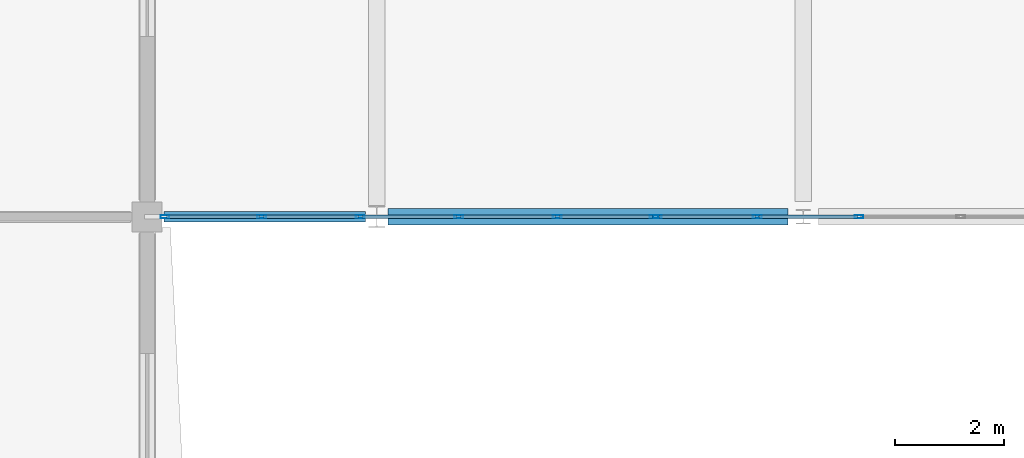
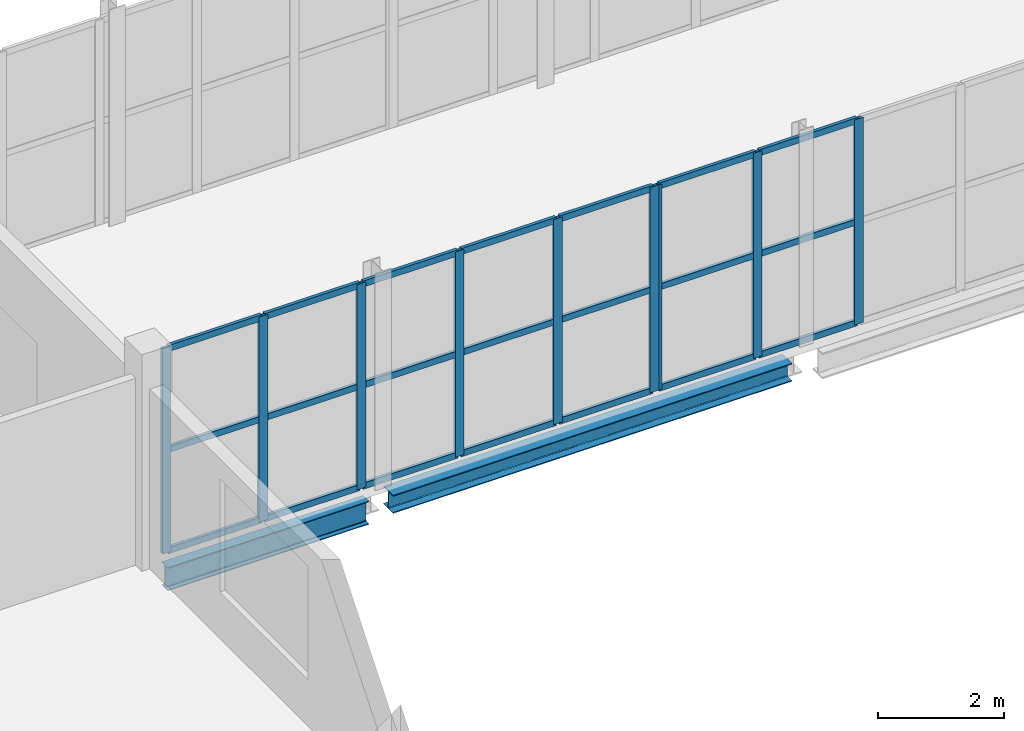
# One storey, part 54 of 121: 30 members, 2 beams, 2 elements without a shape of their own.
"""IFC4 building model written with IfcOpenShell, lengths in metres."""

from ifc_helpers import new_model, si_unit, direction, frame, origin, origin_2d, place, context, subcontext, project, spatial, hollow_rectangle, i_section, extrude, material, layer, layer_set, material_profile, profile_set, type_object, element, aggregate, save


model = new_model("IFC4")

# Units and contexts
model_context = context("Model", 3, precision=1e-05, world=origin(), true_north=direction((0.0, 1.0)))
body_context = subcontext(model_context, "Body", "Model", "MODEL_VIEW")
ifc_project = project(units=[si_unit("LENGTHUNIT", "METRE"), si_unit("AREAUNIT", "SQUARE_METRE"), si_unit("VOLUMEUNIT", "CUBIC_METRE"), si_unit("PLANEANGLEUNIT", "RADIAN"), si_unit("MASSUNIT", "GRAM", prefix="KILO")], contexts=[model_context])

# Site, building, storey
site_placement = place(None, origin())
site = spatial("IfcSite", under=ifc_project, at=site_placement, CompositionType="ELEMENT")
building_placement = place(site_placement, origin())
building = spatial("IfcBuilding", under=site, at=building_placement, Name="Vinh Khe Railworks Police Headquarters", CompositionType="ELEMENT")
storey_placement = place(building_placement, frame((0.0, 0.0, 4.800048828125)))
storey = spatial("IfcBuildingStorey", under=building, at=storey_placement, Name="L01", CompositionType="ELEMENT", Elevation=4.800048828125)

# Curtain wall, members
ifc_material_1 = material(Name="Anodised aluminium and solar-control glass", Category="aluminium")
ifc_layer = layer(ifc_material_1, 0.159912109375)
ifc_layer_set = layer_set([ifc_layer], Name="Anodised aluminium and solar-control glass")
curtain_wall_type = type_object("IfcCurtainWallType", Name="CW-SHOPFRONT", PredefinedType="USERDEFINED", material=ifc_layer_set)
curtain_wall_1_placement = place(storey_placement, origin())
curtain_wall_1 = element("IfcCurtainWall", 1, at=curtain_wall_1_placement, inside=storey, type_object=curtain_wall_type, Name="Link Bridge South Glazing L01 Bay 1", ObjectType="UNITISED GLAZING", PredefinedType="USERDEFINED")
ifc_material_2 = material(Name="Anodised aluminium 6063-T6", Category="aluminium")
ifc_material_profile_1 = material_profile(ifc_material_2, hollow_rectangle(XDim=0.06005859375, YDim=0.159912109375, WallThickness=0.00390625, at=origin_2d()), Name="CW-M 60x160x4")
ifc_profile_set_1 = profile_set([ifc_material_profile_1], Name="Anodised aluminium 6063-T6")
member_type_1 = type_object("IfcMemberType", Name="MULL-CWM-01", PredefinedType="MULLION", material=ifc_profile_set_1)
member_1_placement = place(storey_placement, frame((22.52490234375, 96.0, 0.0), z_axis=(0.0, 0.0, 1.0), x_axis=(0.0, 1.0, 0.0)))
member_1 = element("IfcMember", 2, at=member_1_placement, type_object=member_type_1, Name="CW-03 mullion 1", PredefinedType="MULLION", context=body_context, shape_type="SweptSolid", body=[
    extrude(hollow_rectangle(XDim=0.06005859375, YDim=0.159912109375, WallThickness=0.00390625, at=origin_2d()), origin(), (0.0, 0.0, 1.0), 3.97998046875),
])
member_2_placement = place(storey_placement, frame((24.2958984375, 96.0, 0.0), z_axis=(0.0, 0.0, 1.0), x_axis=(0.0, 1.0, 0.0)))
member_2 = element("IfcMember", 3, at=member_2_placement, type_object=member_type_1, Name="CW-03 mullion 2", PredefinedType="MULLION", context=body_context, shape_type="SweptSolid", body=[
    extrude(hollow_rectangle(XDim=0.06005859375, YDim=0.159912109375, WallThickness=0.00390625, at=origin_2d()), origin(), (0.0, 0.0, 1.0), 3.97998046875),
])
member_3_placement = place(storey_placement, frame((26.096923828125, 96.0, 0.0), z_axis=(0.0, 0.0, 1.0), x_axis=(0.0, 1.0, 0.0)))
member_3 = element("IfcMember", 4, at=member_3_placement, type_object=member_type_1, Name="CW-03 mullion 3", PredefinedType="MULLION", context=body_context, shape_type="SweptSolid", body=[
    extrude(hollow_rectangle(XDim=0.06005859375, YDim=0.159912109375, WallThickness=0.00390625, at=origin_2d()), origin(), (0.0, 0.0, 1.0), 3.97998046875),
])
member_4_placement = place(storey_placement, frame((27.89794921875, 96.0, 0.0), z_axis=(0.0, 0.0, 1.0), x_axis=(0.0, 1.0, 0.0)))
member_4 = element("IfcMember", 5, at=member_4_placement, type_object=member_type_1, Name="CW-03 mullion 4", PredefinedType="MULLION", context=body_context, shape_type="SweptSolid", body=[
    extrude(hollow_rectangle(XDim=0.06005859375, YDim=0.159912109375, WallThickness=0.00390625, at=origin_2d()), origin(), (0.0, 0.0, 1.0), 3.97998046875),
])
member_5_placement = place(storey_placement, frame((29.698974609375, 96.0, 0.0), z_axis=(0.0, 0.0, 1.0), x_axis=(0.0, 1.0, 0.0)))
member_5 = element("IfcMember", 6, at=member_5_placement, type_object=member_type_1, Name="CW-03 mullion 5", PredefinedType="MULLION", context=body_context, shape_type="SweptSolid", body=[
    extrude(hollow_rectangle(XDim=0.06005859375, YDim=0.159912109375, WallThickness=0.00390625, at=origin_2d()), origin(), (0.0, 0.0, 1.0), 3.97998046875),
])
member_6_placement = place(storey_placement, frame((31.469970703125, 96.0, 0.0), z_axis=(0.0, 0.0, 1.0), x_axis=(0.0, 1.0, 0.0)))
member_6 = element("IfcMember", 7, at=member_6_placement, type_object=member_type_1, Name="CW-03 mullion 6", PredefinedType="MULLION", context=body_context, shape_type="SweptSolid", body=[
    extrude(hollow_rectangle(XDim=0.06005859375, YDim=0.159912109375, WallThickness=0.00390625, at=origin_2d()), origin(), (0.0, 0.0, 1.0), 3.97998046875),
])

curtain_wall_2_placement = place(storey_placement, origin())
curtain_wall_2 = element("IfcCurtainWall", 8, at=curtain_wall_2_placement, inside=storey, type_object=curtain_wall_type, Name="Link Bridge South Glazing L01 Bay 2", ObjectType="UNITISED GLAZING", PredefinedType="USERDEFINED")
member_7_placement = place(storey_placement, frame((31.530029296875, 96.0, 0.0), z_axis=(0.0, 0.0, 1.0), x_axis=(0.0, 1.0, 0.0)))
member_7 = element("IfcMember", 9, at=member_7_placement, type_object=member_type_1, Name="CW-03 mullion 1", PredefinedType="MULLION", context=body_context, shape_type="SweptSolid", body=[
    extrude(hollow_rectangle(XDim=0.06005859375, YDim=0.159912109375, WallThickness=0.00390625, at=origin_2d()), origin(), (0.0, 0.0, 1.0), 3.97998046875),
])
member_8_placement = place(storey_placement, frame((33.360107421875, 96.0, 0.0), z_axis=(0.0, 0.0, 1.0), x_axis=(0.0, 1.0, 0.0)))
member_8 = element("IfcMember", 10, at=member_8_placement, type_object=member_type_1, Name="CW-03 mullion 2", PredefinedType="MULLION", context=body_context, shape_type="SweptSolid", body=[
    extrude(hollow_rectangle(XDim=0.06005859375, YDim=0.159912109375, WallThickness=0.00390625, at=origin_2d()), origin(), (0.0, 0.0, 1.0), 3.97998046875),
])
member_9_placement = place(storey_placement, frame((35.219970703125, 96.0, 0.0), z_axis=(0.0, 0.0, 1.0), x_axis=(0.0, 1.0, 0.0)))
member_9 = element("IfcMember", 11, at=member_9_placement, type_object=member_type_1, Name="CW-03 mullion 3", PredefinedType="MULLION", context=body_context, shape_type="SweptSolid", body=[
    extrude(hollow_rectangle(XDim=0.06005859375, YDim=0.159912109375, WallThickness=0.00390625, at=origin_2d()), origin(), (0.0, 0.0, 1.0), 3.97998046875),
])

# Beams
ifc_material_3 = material(Name="Steel S355JR", Category="steel")
ifc_material_profile_2 = material_profile(ifc_material_3, i_section(OverallWidth=0.300048828125, OverallDepth=0.35009765625, WebThickness=0.010009765625, FlangeThickness=0.017578125, FilletRadius=0.027099609375, at=origin_2d()), Name="HEA 360")
ifc_profile_set_2 = profile_set([ifc_material_profile_2], Name="Steel S355JR")
beam_type_1 = type_object("IfcBeamType", Name="Steel Girder HEA 360", PredefinedType="BEAM", material=ifc_profile_set_2)
beam_1_placement = place(storey_placement, frame((26.60498046875, 96.0, -0.4150390625), z_axis=(1.0, 0.0, 0.0), x_axis=(0.0, 1.0, 0.0)))
element("IfcBeam", 12, at=beam_1_placement, inside=storey, type_object=beam_type_1, Name="Girder BM-L01-EW-SB-15-0481", PredefinedType="BEAM", context=body_context, shape_type="SweptSolid", body=[
    extrude(i_section(OverallWidth=0.300048828125, OverallDepth=0.35009765625, WebThickness=0.010009765625, FlangeThickness=0.017578125, FilletRadius=0.027099609375, at=origin_2d()), origin(), (0.0, 0.0, 1.0), 7.31494140625),
])
ifc_material_profile_3 = material_profile(ifc_material_3, i_section(OverallWidth=0.18994140625, OverallDepth=0.449951171875, WebThickness=0.009521484375, FlangeThickness=0.0146484375, FilletRadius=0.02099609375, at=origin_2d()), Name="IPE 450")
ifc_profile_set_3 = profile_set([ifc_material_profile_3], Name="Steel S355JR")
beam_type_2 = type_object("IfcBeamType", Name="Steel Girder IPE 450", PredefinedType="BEAM", material=ifc_profile_set_3)
beam_2_placement = place(storey_placement, frame((22.5048828125, 96.0, -0.465087890625), z_axis=(1.0, 0.0, 0.0), x_axis=(0.0, 1.0, 0.0)))
element("IfcBeam", 13, at=beam_2_placement, inside=storey, type_object=beam_type_2, Name="Girder BM-L01-EW-SB-20-0480", PredefinedType="BEAM", context=body_context, shape_type="SweptSolid", body=[
    extrude(i_section(OverallWidth=0.18994140625, OverallDepth=0.449951171875, WebThickness=0.009521484375, FlangeThickness=0.0146484375, FilletRadius=0.02099609375, at=origin_2d()), origin(), (0.0, 0.0, 1.0), 3.690185546875),
])

# Member
ifc_material_profile_4 = material_profile(ifc_material_2, hollow_rectangle(XDim=0.06005859375, YDim=0.1201171875, WallThickness=0.00390625, at=origin_2d()), Name="CW-T 60x120x4")
ifc_profile_set_4 = profile_set([ifc_material_profile_4], Name="Anodised aluminium 6063-T6")
member_type_2 = type_object("IfcMemberType", Name="TRAN-CWT-01", PredefinedType="USERDEFINED", material=ifc_profile_set_4)
member_10_placement = place(storey_placement, frame((22.554931640625, 96.0, 0.030029296875), z_axis=(1.0, 0.0, 0.0), x_axis=(0.0, 1.0, 0.0)))
member_10 = element("IfcMember", 14, at=member_10_placement, type_object=member_type_2, Name="CW-03 transom 1.1", ObjectType="TRANSOM", PredefinedType="USERDEFINED", context=body_context, shape_type="SweptSolid", body=[
    extrude(hollow_rectangle(XDim=0.06005859375, YDim=0.1201171875, WallThickness=0.00390625, at=origin_2d()), origin(), (0.0, 0.0, 1.0), 1.711181640625),
])

member_11_placement = place(storey_placement, frame((22.554931640625, 96.0, 1.989990234375), z_axis=(1.0, 0.0, 0.0), x_axis=(0.0, 1.0, 0.0)))
member_11 = element("IfcMember", 15, at=member_11_placement, type_object=member_type_2, Name="CW-03 transom 1.2", ObjectType="TRANSOM", PredefinedType="USERDEFINED", context=body_context, shape_type="SweptSolid", body=[
    extrude(hollow_rectangle(XDim=0.06005859375, YDim=0.1201171875, WallThickness=0.00390625, at=origin_2d()), origin(), (0.0, 0.0, 1.0), 1.711181640625),
])

member_12_placement = place(storey_placement, frame((22.554931640625, 96.0, 3.949951171875), z_axis=(1.0, 0.0, 0.0), x_axis=(0.0, 1.0, 0.0)))
member_12 = element("IfcMember", 16, at=member_12_placement, type_object=member_type_2, Name="CW-03 transom 1.3", ObjectType="TRANSOM", PredefinedType="USERDEFINED", context=body_context, shape_type="SweptSolid", body=[
    extrude(hollow_rectangle(XDim=0.06005859375, YDim=0.1201171875, WallThickness=0.00390625, at=origin_2d()), origin(), (0.0, 0.0, 1.0), 1.711181640625),
])

member_13_placement = place(storey_placement, frame((24.325927734375, 96.0, 0.030029296875), z_axis=(1.0, 0.0, 0.0), x_axis=(0.0, 1.0, 0.0)))
member_13 = element("IfcMember", 17, at=member_13_placement, type_object=member_type_2, Name="CW-03 transom 2.1", ObjectType="TRANSOM", PredefinedType="USERDEFINED", context=body_context, shape_type="SweptSolid", body=[
    extrude(hollow_rectangle(XDim=0.06005859375, YDim=0.1201171875, WallThickness=0.00390625, at=origin_2d()), origin(), (0.0, 0.0, 1.0), 1.740966796875),
])

member_14_placement = place(storey_placement, frame((24.325927734375, 96.0, 1.989990234375), z_axis=(1.0, 0.0, 0.0), x_axis=(0.0, 1.0, 0.0)))
member_14 = element("IfcMember", 18, at=member_14_placement, type_object=member_type_2, Name="CW-03 transom 2.2", ObjectType="TRANSOM", PredefinedType="USERDEFINED", context=body_context, shape_type="SweptSolid", body=[
    extrude(hollow_rectangle(XDim=0.06005859375, YDim=0.1201171875, WallThickness=0.00390625, at=origin_2d()), origin(), (0.0, 0.0, 1.0), 1.740966796875),
])

member_15_placement = place(storey_placement, frame((24.325927734375, 96.0, 3.949951171875), z_axis=(1.0, 0.0, 0.0), x_axis=(0.0, 1.0, 0.0)))
member_15 = element("IfcMember", 19, at=member_15_placement, type_object=member_type_2, Name="CW-03 transom 2.3", ObjectType="TRANSOM", PredefinedType="USERDEFINED", context=body_context, shape_type="SweptSolid", body=[
    extrude(hollow_rectangle(XDim=0.06005859375, YDim=0.1201171875, WallThickness=0.00390625, at=origin_2d()), origin(), (0.0, 0.0, 1.0), 1.740966796875),
])

member_16_placement = place(storey_placement, frame((26.126953125, 96.0, 0.030029296875), z_axis=(1.0, 0.0, 0.0), x_axis=(0.0, 1.0, 0.0)))
member_16 = element("IfcMember", 20, at=member_16_placement, type_object=member_type_2, Name="CW-03 transom 3.1", ObjectType="TRANSOM", PredefinedType="USERDEFINED", context=body_context, shape_type="SweptSolid", body=[
    extrude(hollow_rectangle(XDim=0.06005859375, YDim=0.1201171875, WallThickness=0.00390625, at=origin_2d()), origin(), (0.0, 0.0, 1.0), 1.740966796875),
])

member_17_placement = place(storey_placement, frame((26.126953125, 96.0, 1.989990234375), z_axis=(1.0, 0.0, 0.0), x_axis=(0.0, 1.0, 0.0)))
member_17 = element("IfcMember", 21, at=member_17_placement, type_object=member_type_2, Name="CW-03 transom 3.2", ObjectType="TRANSOM", PredefinedType="USERDEFINED", context=body_context, shape_type="SweptSolid", body=[
    extrude(hollow_rectangle(XDim=0.06005859375, YDim=0.1201171875, WallThickness=0.00390625, at=origin_2d()), origin(), (0.0, 0.0, 1.0), 1.740966796875),
])

member_18_placement = place(storey_placement, frame((26.126953125, 96.0, 3.949951171875), z_axis=(1.0, 0.0, 0.0), x_axis=(0.0, 1.0, 0.0)))
member_18 = element("IfcMember", 22, at=member_18_placement, type_object=member_type_2, Name="CW-03 transom 3.3", ObjectType="TRANSOM", PredefinedType="USERDEFINED", context=body_context, shape_type="SweptSolid", body=[
    extrude(hollow_rectangle(XDim=0.06005859375, YDim=0.1201171875, WallThickness=0.00390625, at=origin_2d()), origin(), (0.0, 0.0, 1.0), 1.740966796875),
])

member_19_placement = place(storey_placement, frame((27.927978515625, 96.0, 0.030029296875), z_axis=(1.0, 0.0, 0.0), x_axis=(0.0, 1.0, 0.0)))
member_19 = element("IfcMember", 23, at=member_19_placement, type_object=member_type_2, Name="CW-03 transom 4.1", ObjectType="TRANSOM", PredefinedType="USERDEFINED", context=body_context, shape_type="SweptSolid", body=[
    extrude(hollow_rectangle(XDim=0.06005859375, YDim=0.1201171875, WallThickness=0.00390625, at=origin_2d()), origin(), (0.0, 0.0, 1.0), 1.740966796875),
])

member_20_placement = place(storey_placement, frame((27.927978515625, 96.0, 1.989990234375), z_axis=(1.0, 0.0, 0.0), x_axis=(0.0, 1.0, 0.0)))
member_20 = element("IfcMember", 24, at=member_20_placement, type_object=member_type_2, Name="CW-03 transom 4.2", ObjectType="TRANSOM", PredefinedType="USERDEFINED", context=body_context, shape_type="SweptSolid", body=[
    extrude(hollow_rectangle(XDim=0.06005859375, YDim=0.1201171875, WallThickness=0.00390625, at=origin_2d()), origin(), (0.0, 0.0, 1.0), 1.740966796875),
])

member_21_placement = place(storey_placement, frame((27.927978515625, 96.0, 3.949951171875), z_axis=(1.0, 0.0, 0.0), x_axis=(0.0, 1.0, 0.0)))
member_21 = element("IfcMember", 25, at=member_21_placement, type_object=member_type_2, Name="CW-03 transom 4.3", ObjectType="TRANSOM", PredefinedType="USERDEFINED", context=body_context, shape_type="SweptSolid", body=[
    extrude(hollow_rectangle(XDim=0.06005859375, YDim=0.1201171875, WallThickness=0.00390625, at=origin_2d()), origin(), (0.0, 0.0, 1.0), 1.740966796875),
])

member_22_placement = place(storey_placement, frame((29.72900390625, 96.0, 0.030029296875), z_axis=(1.0, 0.0, 0.0), x_axis=(0.0, 1.0, 0.0)))
member_22 = element("IfcMember", 26, at=member_22_placement, type_object=member_type_2, Name="CW-03 transom 5.1", ObjectType="TRANSOM", PredefinedType="USERDEFINED", context=body_context, shape_type="SweptSolid", body=[
    extrude(hollow_rectangle(XDim=0.06005859375, YDim=0.1201171875, WallThickness=0.00390625, at=origin_2d()), origin(), (0.0, 0.0, 1.0), 1.7109375),
])

member_23_placement = place(storey_placement, frame((29.72900390625, 96.0, 1.989990234375), z_axis=(1.0, 0.0, 0.0), x_axis=(0.0, 1.0, 0.0)))
member_23 = element("IfcMember", 27, at=member_23_placement, type_object=member_type_2, Name="CW-03 transom 5.2", ObjectType="TRANSOM", PredefinedType="USERDEFINED", context=body_context, shape_type="SweptSolid", body=[
    extrude(hollow_rectangle(XDim=0.06005859375, YDim=0.1201171875, WallThickness=0.00390625, at=origin_2d()), origin(), (0.0, 0.0, 1.0), 1.7109375),
])

member_24_placement = place(storey_placement, frame((29.72900390625, 96.0, 3.949951171875), z_axis=(1.0, 0.0, 0.0), x_axis=(0.0, 1.0, 0.0)))
member_24 = element("IfcMember", 28, at=member_24_placement, type_object=member_type_2, Name="CW-03 transom 5.3", ObjectType="TRANSOM", PredefinedType="USERDEFINED", context=body_context, shape_type="SweptSolid", body=[
    extrude(hollow_rectangle(XDim=0.06005859375, YDim=0.1201171875, WallThickness=0.00390625, at=origin_2d()), origin(), (0.0, 0.0, 1.0), 1.7109375),
])

aggregate(curtain_wall_1, [member_1, member_2, member_3, member_4, member_5, member_6, member_10, member_11, member_12, member_13, member_14, member_15, member_16, member_17, member_18, member_19, member_20, member_21, member_22, member_23, member_24])

member_25_placement = place(storey_placement, frame((31.56005859375, 96.0, 0.030029296875), z_axis=(1.0, 0.0, 0.0), x_axis=(0.0, 1.0, 0.0)))
member_25 = element("IfcMember", 29, at=member_25_placement, type_object=member_type_2, Name="CW-03 transom 1.1", ObjectType="TRANSOM", PredefinedType="USERDEFINED", context=body_context, shape_type="SweptSolid", body=[
    extrude(hollow_rectangle(XDim=0.06005859375, YDim=0.1201171875, WallThickness=0.00390625, at=origin_2d()), origin(), (0.0, 0.0, 1.0), 1.77001953125),
])

member_26_placement = place(storey_placement, frame((31.56005859375, 96.0, 1.989990234375), z_axis=(1.0, 0.0, 0.0), x_axis=(0.0, 1.0, 0.0)))
member_26 = element("IfcMember", 30, at=member_26_placement, type_object=member_type_2, Name="CW-03 transom 1.2", ObjectType="TRANSOM", PredefinedType="USERDEFINED", context=body_context, shape_type="SweptSolid", body=[
    extrude(hollow_rectangle(XDim=0.06005859375, YDim=0.1201171875, WallThickness=0.00390625, at=origin_2d()), origin(), (0.0, 0.0, 1.0), 1.77001953125),
])

member_27_placement = place(storey_placement, frame((31.56005859375, 96.0, 3.949951171875), z_axis=(1.0, 0.0, 0.0), x_axis=(0.0, 1.0, 0.0)))
member_27 = element("IfcMember", 31, at=member_27_placement, type_object=member_type_2, Name="CW-03 transom 1.3", ObjectType="TRANSOM", PredefinedType="USERDEFINED", context=body_context, shape_type="SweptSolid", body=[
    extrude(hollow_rectangle(XDim=0.06005859375, YDim=0.1201171875, WallThickness=0.00390625, at=origin_2d()), origin(), (0.0, 0.0, 1.0), 1.77001953125),
])

member_28_placement = place(storey_placement, frame((33.389892578125, 96.0, 0.030029296875), z_axis=(1.0, 0.0, 0.0), x_axis=(0.0, 1.0, 0.0)))
member_28 = element("IfcMember", 32, at=member_28_placement, type_object=member_type_2, Name="CW-03 transom 2.1", ObjectType="TRANSOM", PredefinedType="USERDEFINED", context=body_context, shape_type="SweptSolid", body=[
    extrude(hollow_rectangle(XDim=0.06005859375, YDim=0.1201171875, WallThickness=0.00390625, at=origin_2d()), origin(), (0.0, 0.0, 1.0), 1.800048828125),
])

member_29_placement = place(storey_placement, frame((33.389892578125, 96.0, 1.989990234375), z_axis=(1.0, 0.0, 0.0), x_axis=(0.0, 1.0, 0.0)))
member_29 = element("IfcMember", 33, at=member_29_placement, type_object=member_type_2, Name="CW-03 transom 2.2", ObjectType="TRANSOM", PredefinedType="USERDEFINED", context=body_context, shape_type="SweptSolid", body=[
    extrude(hollow_rectangle(XDim=0.06005859375, YDim=0.1201171875, WallThickness=0.00390625, at=origin_2d()), origin(), (0.0, 0.0, 1.0), 1.800048828125),
])

member_30_placement = place(storey_placement, frame((33.389892578125, 96.0, 3.949951171875), z_axis=(1.0, 0.0, 0.0), x_axis=(0.0, 1.0, 0.0)))
member_30 = element("IfcMember", 34, at=member_30_placement, type_object=member_type_2, Name="CW-03 transom 2.3", ObjectType="TRANSOM", PredefinedType="USERDEFINED", context=body_context, shape_type="SweptSolid", body=[
    extrude(hollow_rectangle(XDim=0.06005859375, YDim=0.1201171875, WallThickness=0.00390625, at=origin_2d()), origin(), (0.0, 0.0, 1.0), 1.800048828125),
])

aggregate(curtain_wall_2, [member_7, member_8, member_9, member_25, member_26, member_27, member_28, member_29, member_30])

save(model, "model.ifc")
